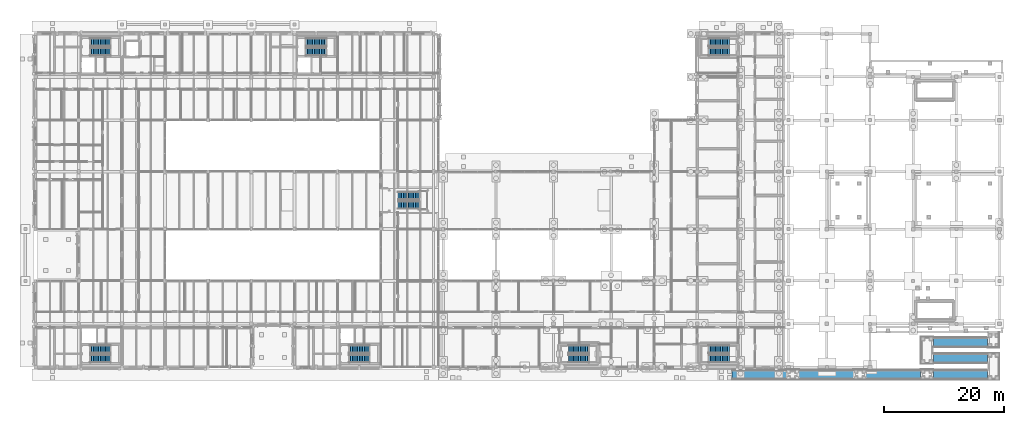
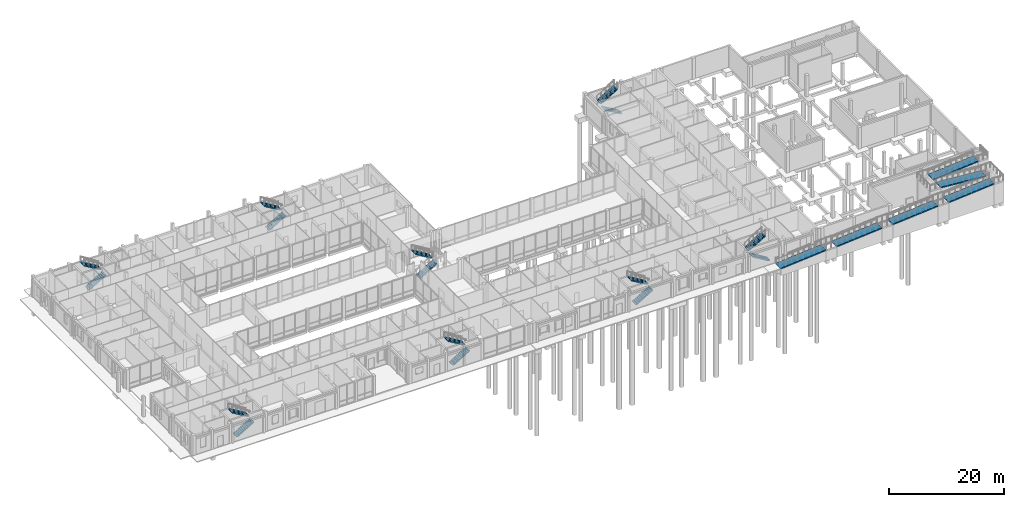
# One storey, part 84 of 104: 16 stair flights, 6 ramp flights, 14 elements without a shape of their own.
"""IFC4 building model written with IfcOpenShell, lengths in metres."""

from ifc_helpers import new_model, si_unit, direction, frame, origin, place, context, subcontext, project, spatial, polyline, outline, extrude, material, layer, layer_set, type_object, element, aggregate, save


model = new_model("IFC4")

# Units and contexts
model_context = context("Model", 3, precision=1e-05, world=origin(), true_north=direction((0.0, 1.0)))
body_context = subcontext(model_context, "Body", "Model", "MODEL_VIEW")
ifc_project = project(units=[si_unit("LENGTHUNIT", "METRE"), si_unit("AREAUNIT", "SQUARE_METRE"), si_unit("VOLUMEUNIT", "CUBIC_METRE"), si_unit("PLANEANGLEUNIT", "RADIAN"), si_unit("MASSUNIT", "GRAM", prefix="KILO")], contexts=[model_context])

# Site, building, storey
site_placement = place(None, origin())
site = spatial("IfcSite", under=ifc_project, at=site_placement, CompositionType="ELEMENT")
building_placement = place(site_placement, origin())
building = spatial("IfcBuilding", under=site, at=building_placement, Name="Hawrajan Terrace Health Centre", CompositionType="ELEMENT")
storey_placement = place(building_placement, origin())
storey = spatial("IfcBuildingStorey", under=building, at=storey_placement, Name="L00", CompositionType="ELEMENT", Elevation=0.0)

# Stair, stair flights
ifc_material = material(Name="Concrete C40/50", Category="concrete")
stair_type_1 = type_object("IfcStairType", Name="FeatureStair_4500_W1300", PredefinedType="HALF_TURN_STAIR", material=ifc_material)
stair_1_placement = place(storey_placement, origin())
stair_1 = element("IfcStair", 1, at=stair_1_placement, inside=storey, type_object=stair_type_1, Name="Stair ST-10-L00", PredefinedType="HALF_TURN_STAIR")
stair_flight_type_1 = type_object("IfcStairFlightType", Name="FeatureFlight_4500_W1300", PredefinedType="STRAIGHT", material=ifc_material)
stair_flight_1_placement = place(storey_placement, frame((65.074951171875, 31.2099609375, 0.0), z_axis=(0.0, 0.0, 1.0), x_axis=(1.0, 0.0, 0.0)))
stair_flight_1 = element("IfcStairFlight", 2, at=stair_flight_1_placement, type_object=stair_flight_type_1, Name="Stair flight ST-10-L00-F1", NumberOfRisers=13, NumberOfTreads=12, PredefinedType="STRAIGHT", RiserHeight=0.173077, TreadLength=0.2875, context=body_context, shape_type="SweptSolid", body=[
    extrude(outline(polyline([(0.0, 0.0), (0.0, 0.173095703125), (0.28759765625, 0.173095703125), (0.28759765625, 0.34619140625), (0.574951171875, 0.34619140625), (0.574951171875, 0.519287109375), (0.862548828125, 0.519287109375), (0.862548828125, 0.6923828125), (1.14990234375, 0.6923828125), (1.14990234375, 0.865478515625), (1.4375, 0.865478515625), (1.4375, 1.03857421875), (1.72509765625, 1.03857421875), (1.72509765625, 1.21142578125), (2.012451171875, 1.21142578125), (2.012451171875, 1.384521484375), (2.300048828125, 1.384521484375), (2.300048828125, 1.5576171875), (2.58740234375, 1.5576171875), (2.58740234375, 1.730712890625), (2.875, 1.730712890625), (2.875, 1.90380859375), (3.16259765625, 1.90380859375), (3.16259765625, 2.076904296875), (3.449951171875, 2.076904296875), (3.449951171875, 2.25), (3.449951171875, 1.866943359375), (0.348876953125, 0.0), (0.0, 0.0)])), frame((0.0, 0.64990234375, 0.0), z_axis=(0.0, -1.0, 0.0), x_axis=(1.0, 0.0, 0.0)), (0.0, 0.0, 1.0), 1.300048828125),
])
stair_flight_2_placement = place(storey_placement, frame((68.52490234375, 32.7900390625, 2.25), z_axis=(0.0, 0.0, 1.0), x_axis=(-1.0, 0.0, 0.0)))
stair_flight_2 = element("IfcStairFlight", 3, at=stair_flight_2_placement, type_object=stair_flight_type_1, Name="Stair flight ST-10-L00-F2", NumberOfRisers=13, NumberOfTreads=12, PredefinedType="STRAIGHT", RiserHeight=0.173077, TreadLength=0.2875, context=body_context, shape_type="SweptSolid", body=[
    extrude(outline(polyline([(0.0, 0.0), (0.0, 0.173095703125), (0.28759765625, 0.173095703125), (0.28759765625, 0.34619140625), (0.574951171875, 0.34619140625), (0.574951171875, 0.519287109375), (0.862548828125, 0.519287109375), (0.862548828125, 0.6923828125), (1.14990234375, 0.6923828125), (1.14990234375, 0.865478515625), (1.4375, 0.865478515625), (1.4375, 1.03857421875), (1.72509765625, 1.03857421875), (1.72509765625, 1.21142578125), (2.012451171875, 1.21142578125), (2.012451171875, 1.384521484375), (2.300048828125, 1.384521484375), (2.300048828125, 1.5576171875), (2.58740234375, 1.5576171875), (2.58740234375, 1.730712890625), (2.875, 1.730712890625), (2.875, 1.90380859375), (3.16259765625, 1.90380859375), (3.16259765625, 2.076904296875), (3.449951171875, 2.076904296875), (3.449951171875, 2.25), (3.449951171875, 1.866943359375), (0.348876953125, 0.0), (0.0, 0.0)])), frame((0.0, 0.64990234375, 0.0), z_axis=(0.0, -1.0, 0.0), x_axis=(1.0, 0.0, 0.0)), (0.0, 0.0, 1.0), 1.300048828125),
])
aggregate(stair_1, [stair_flight_1, stair_flight_2])

stair_type_2 = type_object("IfcStairType", Name="Stair_4500_W1300", PredefinedType="HALF_TURN_STAIR", material=ifc_material)
stair_2_placement = place(storey_placement, origin())
stair_2 = element("IfcStair", 4, at=stair_2_placement, inside=storey, type_object=stair_type_2, Name="Stair ST-1-L00", PredefinedType="HALF_TURN_STAIR")
stair_flight_type_2 = type_object("IfcStairFlightType", Name="StairFlight_4500_W1300", PredefinedType="STRAIGHT", material=ifc_material)
stair_flight_3_placement = place(storey_placement, frame((13.675048828125, 56.81005859375, 0.0), z_axis=(0.0, 0.0, 1.0), x_axis=(1.0, 0.0, 0.0)))
stair_flight_3 = element("IfcStairFlight", 5, at=stair_flight_3_placement, type_object=stair_flight_type_2, Name="Stair flight ST-1-L00-F1", NumberOfRisers=13, NumberOfTreads=12, PredefinedType="STRAIGHT", RiserHeight=0.173077, TreadLength=0.2875, context=body_context, shape_type="SweptSolid", body=[
    extrude(outline(polyline([(0.0, 0.0), (0.0, 0.173095703125), (0.28759765625, 0.173095703125), (0.28759765625, 0.34619140625), (0.574951171875, 0.34619140625), (0.574951171875, 0.519287109375), (0.862548828125, 0.519287109375), (0.862548828125, 0.6923828125), (1.14990234375, 0.6923828125), (1.14990234375, 0.865478515625), (1.4375, 0.865478515625), (1.4375, 1.03857421875), (1.72509765625, 1.03857421875), (1.72509765625, 1.21142578125), (2.012451171875, 1.21142578125), (2.012451171875, 1.384521484375), (2.300048828125, 1.384521484375), (2.300048828125, 1.5576171875), (2.58740234375, 1.5576171875), (2.58740234375, 1.730712890625), (2.875, 1.730712890625), (2.875, 1.90380859375), (3.16259765625, 1.90380859375), (3.16259765625, 2.076904296875), (3.449951171875, 2.076904296875), (3.449951171875, 2.25), (3.449951171875, 1.866943359375), (0.348876953125, 0.0), (0.0, 0.0)])), frame((0.0, 0.64990234375, 0.0), z_axis=(0.0, -1.0, 0.0), x_axis=(1.0, 0.0, 0.0)), (0.0, 0.0, 1.0), 1.300048828125),
])
stair_flight_4_placement = place(storey_placement, frame((17.125, 58.389892578125, 2.25), z_axis=(0.0, 0.0, 1.0), x_axis=(-1.0, 0.0, 0.0)))
stair_flight_4 = element("IfcStairFlight", 6, at=stair_flight_4_placement, type_object=stair_flight_type_2, Name="Stair flight ST-1-L00-F2", NumberOfRisers=13, NumberOfTreads=12, PredefinedType="STRAIGHT", RiserHeight=0.173077, TreadLength=0.2875, context=body_context, shape_type="SweptSolid", body=[
    extrude(outline(polyline([(0.0, 0.0), (0.0, 0.173095703125), (0.28759765625, 0.173095703125), (0.28759765625, 0.34619140625), (0.574951171875, 0.34619140625), (0.574951171875, 0.519287109375), (0.862548828125, 0.519287109375), (0.862548828125, 0.6923828125), (1.14990234375, 0.6923828125), (1.14990234375, 0.865478515625), (1.4375, 0.865478515625), (1.4375, 1.03857421875), (1.72509765625, 1.03857421875), (1.72509765625, 1.21142578125), (2.012451171875, 1.21142578125), (2.012451171875, 1.384521484375), (2.300048828125, 1.384521484375), (2.300048828125, 1.5576171875), (2.58740234375, 1.5576171875), (2.58740234375, 1.730712890625), (2.875, 1.730712890625), (2.875, 1.90380859375), (3.16259765625, 1.90380859375), (3.16259765625, 2.076904296875), (3.449951171875, 2.076904296875), (3.449951171875, 2.25), (3.449951171875, 1.866943359375), (0.348876953125, 0.0), (0.0, 0.0)])), frame((0.0, 0.64990234375, 0.0), z_axis=(0.0, -1.0, 0.0), x_axis=(1.0, 0.0, 0.0)), (0.0, 0.0, 1.0), 1.300048828125),
])
aggregate(stair_2, [stair_flight_3, stair_flight_4])

stair_3_placement = place(storey_placement, origin())
stair_3 = element("IfcStair", 7, at=stair_3_placement, inside=storey, type_object=stair_type_2, Name="Stair ST-2-L00", PredefinedType="HALF_TURN_STAIR")
stair_flight_5_placement = place(storey_placement, frame((49.675048828125, 56.81005859375, 0.0), z_axis=(0.0, 0.0, 1.0), x_axis=(1.0, 0.0, 0.0)))
stair_flight_5 = element("IfcStairFlight", 8, at=stair_flight_5_placement, type_object=stair_flight_type_2, Name="Stair flight ST-2-L00-F1", NumberOfRisers=13, NumberOfTreads=12, PredefinedType="STRAIGHT", RiserHeight=0.173077, TreadLength=0.2875, context=body_context, shape_type="SweptSolid", body=[
    extrude(outline(polyline([(0.0, 0.0), (0.0, 0.173095703125), (0.28759765625, 0.173095703125), (0.28759765625, 0.34619140625), (0.574951171875, 0.34619140625), (0.574951171875, 0.519287109375), (0.862548828125, 0.519287109375), (0.862548828125, 0.6923828125), (1.14990234375, 0.6923828125), (1.14990234375, 0.865478515625), (1.4375, 0.865478515625), (1.4375, 1.03857421875), (1.72509765625, 1.03857421875), (1.72509765625, 1.21142578125), (2.012451171875, 1.21142578125), (2.012451171875, 1.384521484375), (2.300048828125, 1.384521484375), (2.300048828125, 1.5576171875), (2.58740234375, 1.5576171875), (2.58740234375, 1.730712890625), (2.875, 1.730712890625), (2.875, 1.90380859375), (3.16259765625, 1.90380859375), (3.16259765625, 2.076904296875), (3.449951171875, 2.076904296875), (3.449951171875, 2.25), (3.449951171875, 1.866943359375), (0.348876953125, 0.0), (0.0, 0.0)])), frame((0.0, 0.64990234375, 0.0), z_axis=(0.0, -1.0, 0.0), x_axis=(1.0, 0.0, 0.0)), (0.0, 0.0, 1.0), 1.300048828125),
])
stair_flight_6_placement = place(storey_placement, frame((53.125, 58.389892578125, 2.25), z_axis=(0.0, 0.0, 1.0), x_axis=(-1.0, 0.0, 0.0)))
stair_flight_6 = element("IfcStairFlight", 9, at=stair_flight_6_placement, type_object=stair_flight_type_2, Name="Stair flight ST-2-L00-F2", NumberOfRisers=13, NumberOfTreads=12, PredefinedType="STRAIGHT", RiserHeight=0.173077, TreadLength=0.2875, context=body_context, shape_type="SweptSolid", body=[
    extrude(outline(polyline([(0.0, 0.0), (0.0, 0.173095703125), (0.28759765625, 0.173095703125), (0.28759765625, 0.34619140625), (0.574951171875, 0.34619140625), (0.574951171875, 0.519287109375), (0.862548828125, 0.519287109375), (0.862548828125, 0.6923828125), (1.14990234375, 0.6923828125), (1.14990234375, 0.865478515625), (1.4375, 0.865478515625), (1.4375, 1.03857421875), (1.72509765625, 1.03857421875), (1.72509765625, 1.21142578125), (2.012451171875, 1.21142578125), (2.012451171875, 1.384521484375), (2.300048828125, 1.384521484375), (2.300048828125, 1.5576171875), (2.58740234375, 1.5576171875), (2.58740234375, 1.730712890625), (2.875, 1.730712890625), (2.875, 1.90380859375), (3.16259765625, 1.90380859375), (3.16259765625, 2.076904296875), (3.449951171875, 2.076904296875), (3.449951171875, 2.25), (3.449951171875, 1.866943359375), (0.348876953125, 0.0), (0.0, 0.0)])), frame((0.0, 0.64990234375, 0.0), z_axis=(0.0, -1.0, 0.0), x_axis=(1.0, 0.0, 0.0)), (0.0, 0.0, 1.0), 1.300048828125),
])
aggregate(stair_3, [stair_flight_5, stair_flight_6])

stair_4_placement = place(storey_placement, origin())
stair_4 = element("IfcStair", 10, at=stair_4_placement, inside=storey, type_object=stair_type_2, Name="Stair ST-3-L00", PredefinedType="HALF_TURN_STAIR")
stair_flight_7_placement = place(storey_placement, frame((13.675048828125, 5.610107421875, 0.0), z_axis=(0.0, 0.0, 1.0), x_axis=(1.0, 0.0, 0.0)))
stair_flight_7 = element("IfcStairFlight", 11, at=stair_flight_7_placement, type_object=stair_flight_type_2, Name="Stair flight ST-3-L00-F1", NumberOfRisers=13, NumberOfTreads=12, PredefinedType="STRAIGHT", RiserHeight=0.173077, TreadLength=0.2875, context=body_context, shape_type="SweptSolid", body=[
    extrude(outline(polyline([(0.0, 0.0), (0.0, 0.173095703125), (0.28759765625, 0.173095703125), (0.28759765625, 0.34619140625), (0.574951171875, 0.34619140625), (0.574951171875, 0.519287109375), (0.862548828125, 0.519287109375), (0.862548828125, 0.6923828125), (1.14990234375, 0.6923828125), (1.14990234375, 0.865478515625), (1.4375, 0.865478515625), (1.4375, 1.03857421875), (1.72509765625, 1.03857421875), (1.72509765625, 1.21142578125), (2.012451171875, 1.21142578125), (2.012451171875, 1.384521484375), (2.300048828125, 1.384521484375), (2.300048828125, 1.5576171875), (2.58740234375, 1.5576171875), (2.58740234375, 1.730712890625), (2.875, 1.730712890625), (2.875, 1.90380859375), (3.16259765625, 1.90380859375), (3.16259765625, 2.076904296875), (3.449951171875, 2.076904296875), (3.449951171875, 2.25), (3.449951171875, 1.866943359375), (0.348876953125, 0.0), (0.0, 0.0)])), frame((0.0, 0.64990234375, 0.0), z_axis=(0.0, -1.0, 0.0), x_axis=(1.0, 0.0, 0.0)), (0.0, 0.0, 1.0), 1.300048828125),
])
stair_flight_8_placement = place(storey_placement, frame((17.125, 7.18994140625, 2.25), z_axis=(0.0, 0.0, 1.0), x_axis=(-1.0, 0.0, 0.0)))
stair_flight_8 = element("IfcStairFlight", 12, at=stair_flight_8_placement, type_object=stair_flight_type_2, Name="Stair flight ST-3-L00-F2", NumberOfRisers=13, NumberOfTreads=12, PredefinedType="STRAIGHT", RiserHeight=0.173077, TreadLength=0.2875, context=body_context, shape_type="SweptSolid", body=[
    extrude(outline(polyline([(0.0, 0.0), (0.0, 0.173095703125), (0.28759765625, 0.173095703125), (0.28759765625, 0.34619140625), (0.574951171875, 0.34619140625), (0.574951171875, 0.519287109375), (0.862548828125, 0.519287109375), (0.862548828125, 0.6923828125), (1.14990234375, 0.6923828125), (1.14990234375, 0.865478515625), (1.4375, 0.865478515625), (1.4375, 1.03857421875), (1.72509765625, 1.03857421875), (1.72509765625, 1.21142578125), (2.012451171875, 1.21142578125), (2.012451171875, 1.384521484375), (2.300048828125, 1.384521484375), (2.300048828125, 1.5576171875), (2.58740234375, 1.5576171875), (2.58740234375, 1.730712890625), (2.875, 1.730712890625), (2.875, 1.90380859375), (3.16259765625, 1.90380859375), (3.16259765625, 2.076904296875), (3.449951171875, 2.076904296875), (3.449951171875, 2.25), (3.449951171875, 1.866943359375), (0.348876953125, 0.0), (0.0, 0.0)])), frame((0.0, 0.64990234375, 0.0), z_axis=(0.0, -1.0, 0.0), x_axis=(1.0, 0.0, 0.0)), (0.0, 0.0, 1.0), 1.300048828125),
])
aggregate(stair_4, [stair_flight_7, stair_flight_8])

stair_5_placement = place(storey_placement, origin())
stair_5 = element("IfcStair", 13, at=stair_5_placement, inside=storey, type_object=stair_type_2, Name="Stair ST-4-L00", PredefinedType="HALF_TURN_STAIR")
stair_flight_9_placement = place(storey_placement, frame((56.875, 5.610107421875, 0.0), z_axis=(0.0, 0.0, 1.0), x_axis=(1.0, 0.0, 0.0)))
stair_flight_9 = element("IfcStairFlight", 14, at=stair_flight_9_placement, type_object=stair_flight_type_2, Name="Stair flight ST-4-L00-F1", NumberOfRisers=13, NumberOfTreads=12, PredefinedType="STRAIGHT", RiserHeight=0.173077, TreadLength=0.2875, context=body_context, shape_type="SweptSolid", body=[
    extrude(outline(polyline([(0.0, 0.0), (0.0, 0.173095703125), (0.28759765625, 0.173095703125), (0.28759765625, 0.34619140625), (0.574951171875, 0.34619140625), (0.574951171875, 0.519287109375), (0.862548828125, 0.519287109375), (0.862548828125, 0.6923828125), (1.14990234375, 0.6923828125), (1.14990234375, 0.865478515625), (1.4375, 0.865478515625), (1.4375, 1.03857421875), (1.72509765625, 1.03857421875), (1.72509765625, 1.21142578125), (2.012451171875, 1.21142578125), (2.012451171875, 1.384521484375), (2.300048828125, 1.384521484375), (2.300048828125, 1.5576171875), (2.58740234375, 1.5576171875), (2.58740234375, 1.730712890625), (2.875, 1.730712890625), (2.875, 1.90380859375), (3.16259765625, 1.90380859375), (3.16259765625, 2.076904296875), (3.449951171875, 2.076904296875), (3.449951171875, 2.25), (3.449951171875, 1.866943359375), (0.348876953125, 0.0), (0.0, 0.0)])), frame((0.0, 0.64990234375, 0.0), z_axis=(0.0, -1.0, 0.0), x_axis=(1.0, 0.0, 0.0)), (0.0, 0.0, 1.0), 1.300048828125),
])
stair_flight_10_placement = place(storey_placement, frame((60.324951171875, 7.18994140625, 2.25), z_axis=(0.0, 0.0, 1.0), x_axis=(-1.0, 0.0, 0.0)))
stair_flight_10 = element("IfcStairFlight", 15, at=stair_flight_10_placement, type_object=stair_flight_type_2, Name="Stair flight ST-4-L00-F2", NumberOfRisers=13, NumberOfTreads=12, PredefinedType="STRAIGHT", RiserHeight=0.173077, TreadLength=0.2875, context=body_context, shape_type="SweptSolid", body=[
    extrude(outline(polyline([(0.0, 0.0), (0.0, 0.173095703125), (0.28759765625, 0.173095703125), (0.28759765625, 0.34619140625), (0.574951171875, 0.34619140625), (0.574951171875, 0.519287109375), (0.862548828125, 0.519287109375), (0.862548828125, 0.6923828125), (1.14990234375, 0.6923828125), (1.14990234375, 0.865478515625), (1.4375, 0.865478515625), (1.4375, 1.03857421875), (1.72509765625, 1.03857421875), (1.72509765625, 1.21142578125), (2.012451171875, 1.21142578125), (2.012451171875, 1.384521484375), (2.300048828125, 1.384521484375), (2.300048828125, 1.5576171875), (2.58740234375, 1.5576171875), (2.58740234375, 1.730712890625), (2.875, 1.730712890625), (2.875, 1.90380859375), (3.16259765625, 1.90380859375), (3.16259765625, 2.076904296875), (3.449951171875, 2.076904296875), (3.449951171875, 2.25), (3.449951171875, 1.866943359375), (0.348876953125, 0.0), (0.0, 0.0)])), frame((0.0, 0.64990234375, 0.0), z_axis=(0.0, -1.0, 0.0), x_axis=(1.0, 0.0, 0.0)), (0.0, 0.0, 1.0), 1.300048828125),
])
aggregate(stair_5, [stair_flight_9, stair_flight_10])

stair_6_placement = place(storey_placement, origin())
stair_6 = element("IfcStair", 16, at=stair_6_placement, inside=storey, type_object=stair_type_2, Name="Stair ST-5-L00", PredefinedType="HALF_TURN_STAIR")
stair_flight_11_placement = place(storey_placement, frame((93.47509765625, 5.610107421875, 0.0), z_axis=(0.0, 0.0, 1.0), x_axis=(1.0, 0.0, 0.0)))
stair_flight_11 = element("IfcStairFlight", 17, at=stair_flight_11_placement, type_object=stair_flight_type_2, Name="Stair flight ST-5-L00-F1", NumberOfRisers=13, NumberOfTreads=12, PredefinedType="STRAIGHT", RiserHeight=0.173077, TreadLength=0.2875, context=body_context, shape_type="SweptSolid", body=[
    extrude(outline(polyline([(0.0, 0.0), (0.0, 0.173095703125), (0.28759765625, 0.173095703125), (0.28759765625, 0.34619140625), (0.574951171875, 0.34619140625), (0.574951171875, 0.519287109375), (0.862548828125, 0.519287109375), (0.862548828125, 0.6923828125), (1.14990234375, 0.6923828125), (1.14990234375, 0.865478515625), (1.4375, 0.865478515625), (1.4375, 1.03857421875), (1.72509765625, 1.03857421875), (1.72509765625, 1.21142578125), (2.012451171875, 1.21142578125), (2.012451171875, 1.384521484375), (2.300048828125, 1.384521484375), (2.300048828125, 1.5576171875), (2.58740234375, 1.5576171875), (2.58740234375, 1.730712890625), (2.875, 1.730712890625), (2.875, 1.90380859375), (3.16259765625, 1.90380859375), (3.16259765625, 2.076904296875), (3.449951171875, 2.076904296875), (3.449951171875, 2.25), (3.449951171875, 1.866943359375), (0.348876953125, 0.0), (0.0, 0.0)])), frame((0.0, 0.64990234375, 0.0), z_axis=(0.0, -1.0, 0.0), x_axis=(1.0, 0.0, 0.0)), (0.0, 0.0, 1.0), 1.300048828125),
])
stair_flight_12_placement = place(storey_placement, frame((96.925048828125, 7.18994140625, 2.25), z_axis=(0.0, 0.0, 1.0), x_axis=(-1.0, 0.0, 0.0)))
stair_flight_12 = element("IfcStairFlight", 18, at=stair_flight_12_placement, type_object=stair_flight_type_2, Name="Stair flight ST-5-L00-F2", NumberOfRisers=13, NumberOfTreads=12, PredefinedType="STRAIGHT", RiserHeight=0.173077, TreadLength=0.2875, context=body_context, shape_type="SweptSolid", body=[
    extrude(outline(polyline([(0.0, 0.0), (0.0, 0.173095703125), (0.28759765625, 0.173095703125), (0.28759765625, 0.34619140625), (0.574951171875, 0.34619140625), (0.574951171875, 0.519287109375), (0.862548828125, 0.519287109375), (0.862548828125, 0.6923828125), (1.14990234375, 0.6923828125), (1.14990234375, 0.865478515625), (1.4375, 0.865478515625), (1.4375, 1.03857421875), (1.72509765625, 1.03857421875), (1.72509765625, 1.21142578125), (2.012451171875, 1.21142578125), (2.012451171875, 1.384521484375), (2.300048828125, 1.384521484375), (2.300048828125, 1.5576171875), (2.58740234375, 1.5576171875), (2.58740234375, 1.730712890625), (2.875, 1.730712890625), (2.875, 1.90380859375), (3.16259765625, 1.90380859375), (3.16259765625, 2.076904296875), (3.449951171875, 2.076904296875), (3.449951171875, 2.25), (3.449951171875, 1.866943359375), (0.348876953125, 0.0), (0.0, 0.0)])), frame((0.0, 0.64990234375, 0.0), z_axis=(0.0, -1.0, 0.0), x_axis=(1.0, 0.0, 0.0)), (0.0, 0.0, 1.0), 1.300048828125),
])
aggregate(stair_6, [stair_flight_11, stair_flight_12])

stair_7_placement = place(storey_placement, origin())
stair_7 = element("IfcStair", 19, at=stair_7_placement, inside=storey, type_object=stair_type_2, Name="Stair ST-6-L00", PredefinedType="HALF_TURN_STAIR")
stair_flight_13_placement = place(storey_placement, frame((120.324951171875, 5.610107421875, 0.0), z_axis=(0.0, 0.0, 1.0), x_axis=(-1.0, 0.0, 0.0)))
stair_flight_13 = element("IfcStairFlight", 20, at=stair_flight_13_placement, type_object=stair_flight_type_2, Name="Stair flight ST-6-L00-F1", NumberOfRisers=13, NumberOfTreads=12, PredefinedType="STRAIGHT", RiserHeight=0.173077, TreadLength=0.2875, context=body_context, shape_type="SweptSolid", body=[
    extrude(outline(polyline([(0.0, 0.0), (0.0, 0.173095703125), (0.28759765625, 0.173095703125), (0.28759765625, 0.34619140625), (0.574951171875, 0.34619140625), (0.574951171875, 0.519287109375), (0.862548828125, 0.519287109375), (0.862548828125, 0.6923828125), (1.14990234375, 0.6923828125), (1.14990234375, 0.865478515625), (1.4375, 0.865478515625), (1.4375, 1.03857421875), (1.72509765625, 1.03857421875), (1.72509765625, 1.21142578125), (2.012451171875, 1.21142578125), (2.012451171875, 1.384521484375), (2.300048828125, 1.384521484375), (2.300048828125, 1.5576171875), (2.58740234375, 1.5576171875), (2.58740234375, 1.730712890625), (2.875, 1.730712890625), (2.875, 1.90380859375), (3.16259765625, 1.90380859375), (3.16259765625, 2.076904296875), (3.449951171875, 2.076904296875), (3.449951171875, 2.25), (3.449951171875, 1.866943359375), (0.348876953125, 0.0), (0.0, 0.0)])), frame((0.0, 0.64990234375, 0.0), z_axis=(0.0, -1.0, 0.0), x_axis=(1.0, 0.0, 0.0)), (0.0, 0.0, 1.0), 1.300048828125),
])
stair_flight_14_placement = place(storey_placement, frame((116.875, 7.18994140625, 2.25), z_axis=(0.0, 0.0, 1.0), x_axis=(1.0, 0.0, 0.0)))
stair_flight_14 = element("IfcStairFlight", 21, at=stair_flight_14_placement, type_object=stair_flight_type_2, Name="Stair flight ST-6-L00-F2", NumberOfRisers=13, NumberOfTreads=12, PredefinedType="STRAIGHT", RiserHeight=0.173077, TreadLength=0.2875, context=body_context, shape_type="SweptSolid", body=[
    extrude(outline(polyline([(0.0, 0.0), (0.0, 0.173095703125), (0.28759765625, 0.173095703125), (0.28759765625, 0.34619140625), (0.574951171875, 0.34619140625), (0.574951171875, 0.519287109375), (0.862548828125, 0.519287109375), (0.862548828125, 0.6923828125), (1.14990234375, 0.6923828125), (1.14990234375, 0.865478515625), (1.4375, 0.865478515625), (1.4375, 1.03857421875), (1.72509765625, 1.03857421875), (1.72509765625, 1.21142578125), (2.012451171875, 1.21142578125), (2.012451171875, 1.384521484375), (2.300048828125, 1.384521484375), (2.300048828125, 1.5576171875), (2.58740234375, 1.5576171875), (2.58740234375, 1.730712890625), (2.875, 1.730712890625), (2.875, 1.90380859375), (3.16259765625, 1.90380859375), (3.16259765625, 2.076904296875), (3.449951171875, 2.076904296875), (3.449951171875, 2.25), (3.449951171875, 1.866943359375), (0.348876953125, 0.0), (0.0, 0.0)])), frame((0.0, 0.64990234375, 0.0), z_axis=(0.0, -1.0, 0.0), x_axis=(1.0, 0.0, 0.0)), (0.0, 0.0, 1.0), 1.300048828125),
])
aggregate(stair_7, [stair_flight_13, stair_flight_14])

stair_8_placement = place(storey_placement, origin())
stair_8 = element("IfcStair", 22, at=stair_8_placement, inside=storey, type_object=stair_type_2, Name="Stair ST-7-L00", PredefinedType="HALF_TURN_STAIR")
stair_flight_15_placement = place(storey_placement, frame((120.324951171875, 56.81005859375, 0.0), z_axis=(0.0, 0.0, 1.0), x_axis=(-1.0, 0.0, 0.0)))
stair_flight_15 = element("IfcStairFlight", 23, at=stair_flight_15_placement, type_object=stair_flight_type_2, Name="Stair flight ST-7-L00-F1", NumberOfRisers=13, NumberOfTreads=12, PredefinedType="STRAIGHT", RiserHeight=0.173077, TreadLength=0.2875, context=body_context, shape_type="SweptSolid", body=[
    extrude(outline(polyline([(0.0, 0.0), (0.0, 0.173095703125), (0.28759765625, 0.173095703125), (0.28759765625, 0.34619140625), (0.574951171875, 0.34619140625), (0.574951171875, 0.519287109375), (0.862548828125, 0.519287109375), (0.862548828125, 0.6923828125), (1.14990234375, 0.6923828125), (1.14990234375, 0.865478515625), (1.4375, 0.865478515625), (1.4375, 1.03857421875), (1.72509765625, 1.03857421875), (1.72509765625, 1.21142578125), (2.012451171875, 1.21142578125), (2.012451171875, 1.384521484375), (2.300048828125, 1.384521484375), (2.300048828125, 1.5576171875), (2.58740234375, 1.5576171875), (2.58740234375, 1.730712890625), (2.875, 1.730712890625), (2.875, 1.90380859375), (3.16259765625, 1.90380859375), (3.16259765625, 2.076904296875), (3.449951171875, 2.076904296875), (3.449951171875, 2.25), (3.449951171875, 1.866943359375), (0.348876953125, 0.0), (0.0, 0.0)])), frame((0.0, 0.64990234375, 0.0), z_axis=(0.0, -1.0, 0.0), x_axis=(1.0, 0.0, 0.0)), (0.0, 0.0, 1.0), 1.300048828125),
])
stair_flight_16_placement = place(storey_placement, frame((116.875, 58.389892578125, 2.25), z_axis=(0.0, 0.0, 1.0), x_axis=(1.0, 0.0, 0.0)))
stair_flight_16 = element("IfcStairFlight", 24, at=stair_flight_16_placement, type_object=stair_flight_type_2, Name="Stair flight ST-7-L00-F2", NumberOfRisers=13, NumberOfTreads=12, PredefinedType="STRAIGHT", RiserHeight=0.173077, TreadLength=0.2875, context=body_context, shape_type="SweptSolid", body=[
    extrude(outline(polyline([(0.0, 0.0), (0.0, 0.173095703125), (0.28759765625, 0.173095703125), (0.28759765625, 0.34619140625), (0.574951171875, 0.34619140625), (0.574951171875, 0.519287109375), (0.862548828125, 0.519287109375), (0.862548828125, 0.6923828125), (1.14990234375, 0.6923828125), (1.14990234375, 0.865478515625), (1.4375, 0.865478515625), (1.4375, 1.03857421875), (1.72509765625, 1.03857421875), (1.72509765625, 1.21142578125), (2.012451171875, 1.21142578125), (2.012451171875, 1.384521484375), (2.300048828125, 1.384521484375), (2.300048828125, 1.5576171875), (2.58740234375, 1.5576171875), (2.58740234375, 1.730712890625), (2.875, 1.730712890625), (2.875, 1.90380859375), (3.16259765625, 1.90380859375), (3.16259765625, 2.076904296875), (3.449951171875, 2.076904296875), (3.449951171875, 2.25), (3.449951171875, 1.866943359375), (0.348876953125, 0.0), (0.0, 0.0)])), frame((0.0, 0.64990234375, 0.0), z_axis=(0.0, -1.0, 0.0), x_axis=(1.0, 0.0, 0.0)), (0.0, 0.0, 1.0), 1.300048828125),
])
aggregate(stair_8, [stair_flight_15, stair_flight_16])

# Ramp, ramp flight
ramp_type = type_object("IfcRampType", Name="GardenRamp_Assembly", PredefinedType="STRAIGHT_RUN_RAMP", material=ifc_material)
ramp_1_placement = place(storey_placement, origin())
ramp_1 = element("IfcRamp", 25, at=ramp_1_placement, inside=storey, type_object=ramp_type, Name="Accessible pedestrian garden ramp AR-01", PredefinedType="STRAIGHT_RUN_RAMP")
ifc_layer = layer(ifc_material, 0.25)
ifc_layer_set = layer_set([ifc_layer], Name="Concrete C40/50")
ramp_flight_type = type_object("IfcRampFlightType", Name="GardenRampFlight_1800", PredefinedType="STRAIGHT", material=ifc_layer_set)
ramp_flight_1_placement = place(storey_placement, frame((120.77001953125, 2.949951171875, 0.0), z_axis=(0.0, 0.0, 1.0), x_axis=(1.0, 0.0, 0.0)))
ramp_flight_1 = element("IfcRampFlight", 26, at=ramp_flight_1_placement, type_object=ramp_flight_type, Name="Accessible ramp flight AR-01-F1", PredefinedType="STRAIGHT", context=body_context, shape_type="SweptSolid", body=[
    extrude(outline(polyline([(0.0, 0.0), (0.0, -0.25), (9.06005859375, 0.5), (9.06005859375, 0.75), (0.0, 0.0)])), frame((0.0, 0.89990234375, 0.0), z_axis=(0.0, -1.0, 0.0), x_axis=(1.0, 0.0, 0.0)), (0.0, 0.0, 1.0), 1.800048828125),
])
aggregate(ramp_1, [ramp_flight_1])

ramp_2_placement = place(storey_placement, origin())
ramp_2 = element("IfcRamp", 27, at=ramp_2_placement, inside=storey, type_object=ramp_type, Name="Accessible pedestrian garden ramp AR-02", PredefinedType="STRAIGHT_RUN_RAMP")
ramp_flight_2_placement = place(storey_placement, frame((131.969970703125, 2.949951171875, 0.75), z_axis=(0.0, 0.0, 1.0), x_axis=(1.0, 0.0, 0.0)))
ramp_flight_2 = element("IfcRampFlight", 28, at=ramp_flight_2_placement, type_object=ramp_flight_type, Name="Accessible ramp flight AR-02-F1", PredefinedType="STRAIGHT", context=body_context, shape_type="SweptSolid", body=[
    extrude(outline(polyline([(0.0, 0.0), (0.0, -0.25), (9.06005859375, 0.5), (9.06005859375, 0.75), (0.0, 0.0)])), frame((0.0, 0.89990234375, 0.0), z_axis=(0.0, -1.0, 0.0), x_axis=(1.0, 0.0, 0.0)), (0.0, 0.0, 1.0), 1.800048828125),
])
aggregate(ramp_2, [ramp_flight_2])

ramp_3_placement = place(storey_placement, origin())
ramp_3 = element("IfcRamp", 29, at=ramp_3_placement, inside=storey, type_object=ramp_type, Name="Accessible pedestrian garden ramp AR-03", PredefinedType="STRAIGHT_RUN_RAMP")
ramp_flight_3_placement = place(storey_placement, frame((143.169921875, 2.949951171875, 1.5), z_axis=(0.0, 0.0, 1.0), x_axis=(1.0, 0.0, 0.0)))
ramp_flight_3 = element("IfcRampFlight", 30, at=ramp_flight_3_placement, type_object=ramp_flight_type, Name="Accessible ramp flight AR-03-F1", PredefinedType="STRAIGHT", context=body_context, shape_type="SweptSolid", body=[
    extrude(outline(polyline([(0.0, 0.0), (0.0, -0.25), (9.06005859375, 0.5), (9.06005859375, 0.75), (0.0, 0.0)])), frame((0.0, 0.89990234375, 0.0), z_axis=(0.0, -1.0, 0.0), x_axis=(1.0, 0.0, 0.0)), (0.0, 0.0, 1.0), 1.800048828125),
])
aggregate(ramp_3, [ramp_flight_3])

ramp_4_placement = place(storey_placement, origin())
ramp_4 = element("IfcRamp", 31, at=ramp_4_placement, inside=storey, type_object=ramp_type, Name="Accessible pedestrian garden ramp AR-04", PredefinedType="STRAIGHT_RUN_RAMP")
ramp_flight_4_placement = place(storey_placement, frame((154.3701171875, 2.949951171875, 2.25), z_axis=(0.0, 0.0, 1.0), x_axis=(1.0, 0.0, 0.0)))
ramp_flight_4 = element("IfcRampFlight", 32, at=ramp_flight_4_placement, type_object=ramp_flight_type, Name="Accessible ramp flight AR-04-F1", PredefinedType="STRAIGHT", context=body_context, shape_type="SweptSolid", body=[
    extrude(outline(polyline([(0.0, 0.0), (0.0, -0.25), (9.06005859375, 0.5), (9.06005859375, 0.75), (0.0, 0.0)])), frame((0.0, 0.89990234375, 0.0), z_axis=(0.0, -1.0, 0.0), x_axis=(1.0, 0.0, 0.0)), (0.0, 0.0, 1.0), 1.800048828125),
])
aggregate(ramp_4, [ramp_flight_4])

ramp_5_placement = place(storey_placement, origin())
ramp_5 = element("IfcRamp", 33, at=ramp_5_placement, inside=storey, type_object=ramp_type, Name="Accessible pedestrian garden ramp AR-05", PredefinedType="STRAIGHT_RUN_RAMP")
ramp_flight_5_placement = place(storey_placement, frame((163.429931640625, 5.64990234375, 3.0), z_axis=(0.0, 0.0, 1.0), x_axis=(-1.0, 0.0, 0.0)))
ramp_flight_5 = element("IfcRampFlight", 34, at=ramp_flight_5_placement, type_object=ramp_flight_type, Name="Accessible ramp flight AR-05-F1", PredefinedType="STRAIGHT", context=body_context, shape_type="SweptSolid", body=[
    extrude(outline(polyline([(0.0, 0.0), (0.0, -0.25), (9.06005859375, 0.5), (9.06005859375, 0.75), (0.0, 0.0)])), frame((0.0, 0.89990234375, 0.0), z_axis=(0.0, -1.0, 0.0), x_axis=(1.0, 0.0, 0.0)), (0.0, 0.0, 1.0), 1.800048828125),
])
aggregate(ramp_5, [ramp_flight_5])

ramp_6_placement = place(storey_placement, origin())
ramp_6 = element("IfcRamp", 35, at=ramp_6_placement, inside=storey, type_object=ramp_type, Name="Accessible pedestrian garden ramp AR-06", PredefinedType="STRAIGHT_RUN_RAMP")
ramp_flight_6_placement = place(storey_placement, frame((154.3701171875, 8.35009765625, 3.75), z_axis=(0.0, 0.0, 1.0), x_axis=(1.0, 0.0, 0.0)))
ramp_flight_6 = element("IfcRampFlight", 36, at=ramp_flight_6_placement, type_object=ramp_flight_type, Name="Accessible ramp flight AR-06-F1", PredefinedType="STRAIGHT", context=body_context, shape_type="SweptSolid", body=[
    extrude(outline(polyline([(0.0, 0.0), (0.0, -0.25), (9.06005859375, 0.5), (9.06005859375, 0.75), (0.0, 0.0)])), frame((0.0, 0.89990234375, 0.0), z_axis=(0.0, -1.0, 0.0), x_axis=(1.0, 0.0, 0.0)), (0.0, 0.0, 1.0), 1.800048828125),
])
aggregate(ramp_6, [ramp_flight_6])

save(model, "model.ifc")
